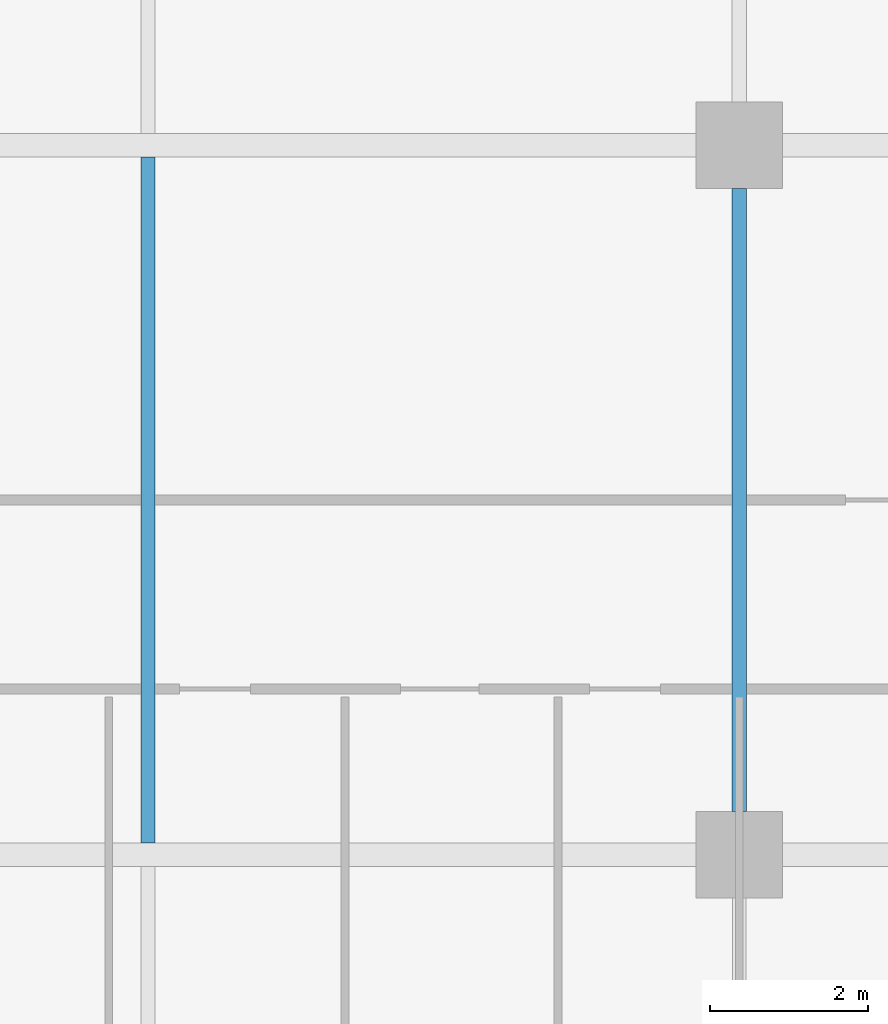
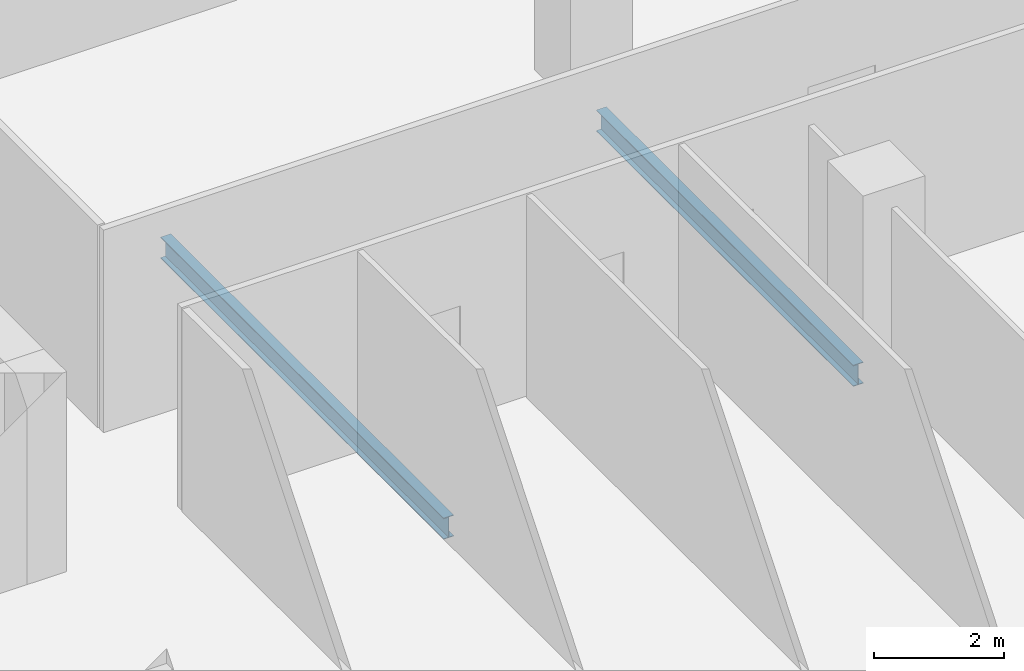
# One storey, part 6 of 34: 2 beams.
"""IFC4 building model written with IfcOpenShell, lengths in metres."""

from ifc_helpers import new_model, si_unit, direction, frame, origin, origin_2d, place, context, subcontext, project, spatial, i_section, extrude, source, transform, mapped, material, material_profile, profile_set, type_object, element, save


model = new_model("IFC4")

# Units and contexts
model_context = context("Model", 3, precision=1e-05, world=origin(), true_north=direction((0.0, 1.0)))
body_context = subcontext(model_context, "Body", "Model", "MODEL_VIEW")
ifc_project = project(units=[si_unit("LENGTHUNIT", "METRE"), si_unit("AREAUNIT", "SQUARE_METRE"), si_unit("VOLUMEUNIT", "CUBIC_METRE"), si_unit("PLANEANGLEUNIT", "RADIAN"), si_unit("MASSUNIT", "GRAM", prefix="KILO")], contexts=[model_context])

# Site, building, storey
site_placement = place(None, origin())
site = spatial("IfcSite", under=ifc_project, at=site_placement, CompositionType="ELEMENT")
building_placement = place(site_placement, origin())
building = spatial("IfcBuilding", under=site, at=building_placement, Name="Khomas Fold Tower", CompositionType="ELEMENT")
storey_placement = place(building_placement, frame((0.0, 0.0, 254.199951171875)))
storey = spatial("IfcBuildingStorey", under=building, at=storey_placement, Name="L57", CompositionType="ELEMENT", Elevation=254.199951171875)

# Beams
ifc_material = material(Name="Steel S355", Category="steel")
ifc_material_profile = material_profile(ifc_material, i_section(OverallWidth=0.179931640625, OverallDepth=0.39990234375, WebThickness=0.008544921875, FlangeThickness=0.013427734375, at=origin_2d()), Name="IPE 400")
ifc_profile_set = profile_set([ifc_material_profile], Name="Steel S355")
beam_type = type_object("IfcBeamType", Name="IPE 400 beam JB3", PredefinedType="BEAM", material=ifc_profile_set)
shared_shape_1 = source(origin(), body_context, "Body", "SweptSolid", [
    extrude(i_section(OverallWidth=0.179931640625, OverallDepth=0.39990234375, WebThickness=0.008544921875, FlangeThickness=0.013427734375, at=origin_2d()), origin(), (0.0, 0.0, 1.0), 8.7001953125),
])
beam_1_placement = place(storey_placement, frame((27.0, 13.64990234375, -0.449951171875), z_axis=(0.0, 1.0, 0.0), x_axis=(-1.0, 0.0, 0.0)))
element("IfcBeam", 1, at=beam_1_placement, inside=storey, type_object=beam_type, Name="JB3", PredefinedType="BEAM", context=body_context, shape_type="MappedRepresentation", body=[
    mapped(shared_shape_1, transform((0.0, 0.0, 0.0))),
])
shared_shape_2 = source(origin(), body_context, "Body", "SweptSolid", [
    extrude(i_section(OverallWidth=0.179931640625, OverallDepth=0.39990234375, WebThickness=0.008544921875, FlangeThickness=0.013427734375, at=origin_2d()), origin(), (0.0, 0.0, 1.0), 7.89990234375),
])
beam_2_placement = place(storey_placement, frame((34.5, 14.050048828125, -0.449951171875), z_axis=(0.0, 1.0, 0.0), x_axis=(-1.0, 0.0, 0.0)))
element("IfcBeam", 2, at=beam_2_placement, inside=storey, type_object=beam_type, Name="JB3", PredefinedType="BEAM", context=body_context, shape_type="MappedRepresentation", body=[
    mapped(shared_shape_2, transform((0.0, 0.0, 0.0))),
])

save(model, "model.ifc")
